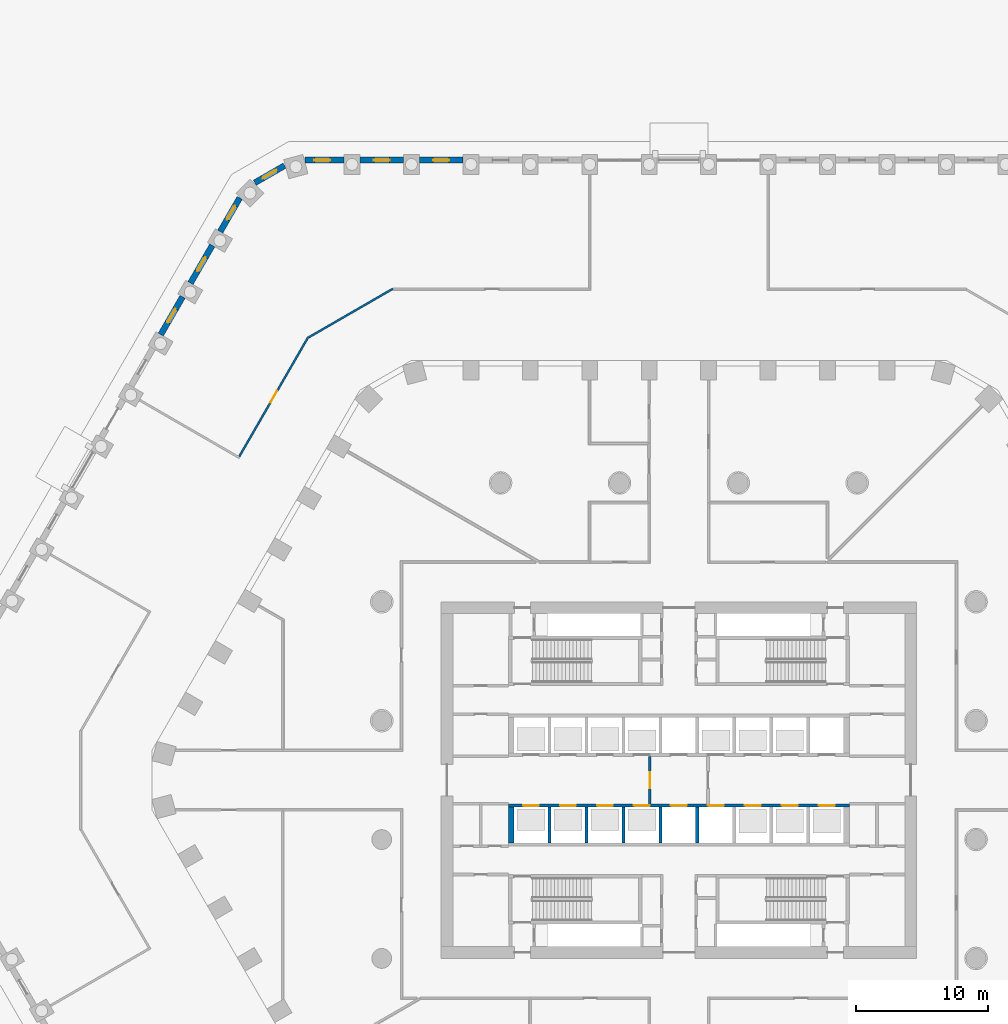
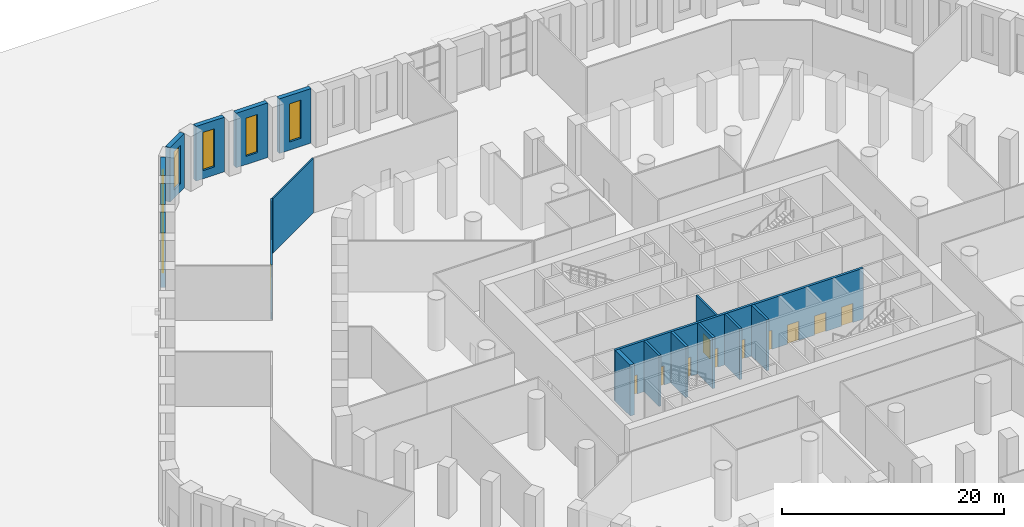
# One storey, part 19 of 44: 17 walls, 11 doors, 7 windows, 18 openings.
"""IFC4 building model written with IfcOpenShell, lengths in metres."""

from ifc_helpers import new_model, si_unit, direction, frame, frame_2d, origin, place, context, subcontext, project, spatial, polyline, rectangle, outline, extrude, material, layer, layer_set, type_object, element, fill, save


model = new_model("IFC4")

# Units and contexts
model_context = context("Model", 3, precision=1e-05, world=origin(), true_north=direction((0.0, 1.0)))
body_context = subcontext(model_context, "Body", "Model", "MODEL_VIEW")
ifc_project = project(units=[si_unit("LENGTHUNIT", "METRE"), si_unit("AREAUNIT", "SQUARE_METRE"), si_unit("VOLUMEUNIT", "CUBIC_METRE"), si_unit("PLANEANGLEUNIT", "RADIAN"), si_unit("MASSUNIT", "GRAM", prefix="KILO")], contexts=[model_context])

# Site, building, storey
site_placement = place(None, origin())
site = spatial("IfcSite", under=ifc_project, at=site_placement, CompositionType="ELEMENT")
building_placement = place(site_placement, origin())
building = spatial("IfcBuilding", under=site, at=building_placement, Name="Dhurran Vertical Campus", CompositionType="ELEMENT")
storey_placement = place(building_placement, origin())
storey = spatial("IfcBuildingStorey", under=building, at=storey_placement, Name="L00", CompositionType="ELEMENT", Elevation=0.0)

# Wall, opening, window
ifc_material_1 = material(Name="Precast concrete C50/60", Category="concrete")
ifc_layer_1 = layer(ifc_material_1, 0.449951171875)
ifc_layer_set_1 = layer_set([ifc_layer_1], Name="Precast concrete C50/60")
wall_type_1 = type_object("IfcWallType", Name="Precast base wall 450", PredefinedType="SOLIDWALL", material=ifc_layer_set_1)
wall_1_placement = place(storey_placement, frame((-16.3505859375, 46.943359375, 0.0), z_axis=(0.0, 0.0, 1.0), x_axis=(-1.0, 0.0, 0.0)))
wall_1 = element("IfcWall", 1, at=wall_1_placement, inside=storey, type_object=wall_type_1, Name="EW2 L00.48", PredefinedType="SOLIDWALL", context=body_context, shape_type="SweptSolid", body=[
    extrude(rectangle(XDim=3.298828125, YDim=0.449951171875, at=frame_2d((1.6494140625, 0.0))), origin(), (0.0, 0.0, 1.0), 6.0),
])
opening_1_placement = place(wall_1_placement, frame((1.049560546875, 0.0, 0.89990234375)))
opening_1 = element("IfcOpeningElement", 2, at=opening_1_placement, cuts=wall_1, Name="Opening WT5", PredefinedType="OPENING", context=body_context, shape_type="SweptSolid", body=[
    extrude(rectangle(XDim=1.199951171875, YDim=4.199951171875, at=frame_2d((0.60009765625, 2.10009765625))), frame((0.0, 0.23486328125, 0.0), z_axis=(0.0, -1.0, 0.0), x_axis=(1.0, 0.0, 0.0)), (0.0, 0.0, 1.0), 0.469970703125),
])
ifc_material_2 = material(Name="Aluminium frame with solar-control glass", Category="aluminium")
window_type = type_object("IfcWindowType", Name="Ring slot window 1200 x 4200", PartitioningType="SINGLE_PANEL", PredefinedType="WINDOW", material=ifc_material_2)
window_1_placement = place(opening_1_placement, origin())
window_1 = element("IfcWindow", 3, at=window_1_placement, inside=storey, type_object=window_type, Name="WT5 L00.48", OverallHeight=4.199951171875, OverallWidth=1.199951171875, PartitioningType="SINGLE_PANEL", PredefinedType="WINDOW", context=body_context, shape_type="SweptSolid", body=[
    extrude(rectangle(XDim=1.199951171875, YDim=4.199951171875, at=frame_2d((0.60009765625, 2.10009765625))), frame((0.0, 0.030029296875, 0.0), z_axis=(0.0, -1.0, 0.0), x_axis=(1.0, 0.0, 0.0)), (0.0, 0.0, 1.0), 0.06005859375),
])
fill(opening_1, window_1)

wall_2_placement = place(storey_placement, frame((-20.8505859375, 46.943359375, 0.0), z_axis=(0.0, 0.0, 1.0), x_axis=(-1.0, 0.0, 0.0)))
wall_2 = element("IfcWall", 4, at=wall_2_placement, inside=storey, type_object=wall_type_1, Name="EW2 L00.49", PredefinedType="SOLIDWALL", context=body_context, shape_type="SweptSolid", body=[
    extrude(rectangle(XDim=3.298828125, YDim=0.449951171875, at=frame_2d((1.6494140625, 0.0))), origin(), (0.0, 0.0, 1.0), 6.0),
])
opening_2_placement = place(wall_2_placement, frame((1.049560546875, 0.0, 0.89990234375)))
opening_2 = element("IfcOpeningElement", 5, at=opening_2_placement, cuts=wall_2, Name="Opening WT5", PredefinedType="OPENING", context=body_context, shape_type="SweptSolid", body=[
    extrude(rectangle(XDim=1.199951171875, YDim=4.199951171875, at=frame_2d((0.60009765625, 2.10009765625))), frame((0.0, 0.23486328125, 0.0), z_axis=(0.0, -1.0, 0.0), x_axis=(1.0, 0.0, 0.0)), (0.0, 0.0, 1.0), 0.469970703125),
])
window_2_placement = place(opening_2_placement, origin())
window_2 = element("IfcWindow", 6, at=window_2_placement, inside=storey, type_object=window_type, Name="WT5 L00.49", OverallHeight=4.199951171875, OverallWidth=1.199951171875, PartitioningType="SINGLE_PANEL", PredefinedType="WINDOW", context=body_context, shape_type="SweptSolid", body=[
    extrude(rectangle(XDim=1.199951171875, YDim=4.199951171875, at=frame_2d((0.60009765625, 2.10009765625))), frame((0.0, 0.030029296875, 0.0), z_axis=(0.0, -1.0, 0.0), x_axis=(1.0, 0.0, 0.0)), (0.0, 0.0, 1.0), 0.06005859375),
])
fill(opening_2, window_2)

wall_3_placement = place(storey_placement, frame((-25.3505859375, 46.943359375, 0.0), z_axis=(0.0, 0.0, 1.0), x_axis=(-1.0, 0.0, 0.0)))
wall_3 = element("IfcWall", 7, at=wall_3_placement, inside=storey, type_object=wall_type_1, Name="EW2 L00.50", PredefinedType="SOLIDWALL", context=body_context, shape_type="SweptSolid", body=[
    extrude(rectangle(XDim=2.948486328125, YDim=0.449951171875, at=frame_2d((1.47412109375, 0.0))), origin(), (0.0, 0.0, 1.0), 6.0),
])
opening_3_placement = place(wall_3_placement, frame((1.049560546875, 0.0, 0.89990234375)))
opening_3 = element("IfcOpeningElement", 8, at=opening_3_placement, cuts=wall_3, Name="Opening WT5", PredefinedType="OPENING", context=body_context, shape_type="SweptSolid", body=[
    extrude(rectangle(XDim=1.199951171875, YDim=4.199951171875, at=frame_2d((0.60009765625, 2.10009765625))), frame((0.0, 0.23486328125, 0.0), z_axis=(0.0, -1.0, 0.0), x_axis=(1.0, 0.0, 0.0)), (0.0, 0.0, 1.0), 0.469970703125),
])
window_3_placement = place(opening_3_placement, origin())
window_3 = element("IfcWindow", 9, at=window_3_placement, inside=storey, type_object=window_type, Name="WT5 L00.50", OverallHeight=4.199951171875, OverallWidth=1.199951171875, PartitioningType="SINGLE_PANEL", PredefinedType="WINDOW", context=body_context, shape_type="SweptSolid", body=[
    extrude(rectangle(XDim=1.199951171875, YDim=4.199951171875, at=frame_2d((0.60009765625, 2.10009765625))), frame((0.0, 0.030029296875, 0.0), z_axis=(0.0, -1.0, 0.0), x_axis=(1.0, 0.0, 0.0)), (0.0, 0.0, 1.0), 0.06005859375),
])
fill(opening_3, window_3)

wall_4_placement = place(storey_placement, frame((-29.861083984375, 46.524658203125, 0.0), z_axis=(0.0, 0.0, 1.0), x_axis=(-0.866019710441, -0.50000986103, 0.0)))
wall_4 = element("IfcWall", 10, at=wall_4_placement, inside=storey, type_object=wall_type_1, Name="EW2 L00.51", PredefinedType="SOLIDWALL", context=body_context, shape_type="SweptSolid", body=[
    extrude(rectangle(XDim=2.59814453125, YDim=0.449951171875, at=frame_2d((1.299072265625, 0.0))), origin(), (0.0, 0.0, 1.0), 6.0),
])
opening_4_placement = place(wall_4_placement, frame((0.69921875, 0.0, 0.89990234375)))
opening_4 = element("IfcOpeningElement", 11, at=opening_4_placement, cuts=wall_4, Name="Opening WT5", PredefinedType="OPENING", context=body_context, shape_type="SweptSolid", body=[
    extrude(rectangle(XDim=1.199951171875, YDim=4.199951171875, at=frame_2d((0.60009765625, 2.10009765625))), frame((0.0, 0.23486328125, 0.0), z_axis=(0.0, -1.0, 0.0), x_axis=(1.0, 0.0, 0.0)), (0.0, 0.0, 1.0), 0.469970703125),
])
window_4_placement = place(opening_4_placement, origin())
window_4 = element("IfcWindow", 12, at=window_4_placement, inside=storey, type_object=window_type, Name="WT5 L00.51", OverallHeight=4.199951171875, OverallWidth=1.199951171875, PartitioningType="SINGLE_PANEL", PredefinedType="WINDOW", context=body_context, shape_type="SweptSolid", body=[
    extrude(rectangle(XDim=1.199951171875, YDim=4.199951171875, at=frame_2d((0.60009765625, 2.10009765625))), frame((0.0, 0.030029296875, 0.0), z_axis=(0.0, -1.0, 0.0), x_axis=(1.0, 0.0, 0.0)), (0.0, 0.0, 1.0), 0.06005859375),
])
fill(opening_4, window_4)

wall_5_placement = place(storey_placement, frame((-33.25439453125, 44.082275390625, 0.0), z_axis=(0.0, 0.0, 1.0), x_axis=(-0.500030648271, -0.866007708274, 0.0)))
wall_5 = element("IfcWall", 13, at=wall_5_placement, inside=storey, type_object=wall_type_1, Name="EW2 L00.52", PredefinedType="SOLIDWALL", context=body_context, shape_type="SweptSolid", body=[
    extrude(rectangle(XDim=2.948486328125, YDim=0.449951171875, at=frame_2d((1.47412109375, 0.0))), origin(), (0.0, 0.0, 1.0), 6.0),
])
opening_5_placement = place(wall_5_placement, frame((0.69921875, 0.0, 0.89990234375)))
opening_5 = element("IfcOpeningElement", 14, at=opening_5_placement, cuts=wall_5, Name="Opening WT5", PredefinedType="OPENING", context=body_context, shape_type="SweptSolid", body=[
    extrude(rectangle(XDim=1.199951171875, YDim=4.199951171875, at=frame_2d((0.60009765625, 2.10009765625))), frame((0.0, 0.23486328125, 0.0), z_axis=(0.0, -1.0, 0.0), x_axis=(1.0, 0.0, 0.0)), (0.0, 0.0, 1.0), 0.469970703125),
])
window_5_placement = place(opening_5_placement, origin())
window_5 = element("IfcWindow", 15, at=window_5_placement, inside=storey, type_object=window_type, Name="WT5 L00.52", OverallHeight=4.199951171875, OverallWidth=1.199951171875, PartitioningType="SINGLE_PANEL", PredefinedType="WINDOW", context=body_context, shape_type="SweptSolid", body=[
    extrude(rectangle(XDim=1.199951171875, YDim=4.199951171875, at=frame_2d((0.60009765625, 2.10009765625))), frame((0.0, 0.030029296875, 0.0), z_axis=(0.0, -1.0, 0.0), x_axis=(1.0, 0.0, 0.0)), (0.0, 0.0, 1.0), 0.06005859375),
])
fill(opening_5, window_5)

wall_6_placement = place(storey_placement, frame((-35.329345703125, 40.488525390625, 0.0), z_axis=(0.0, 0.0, 1.0), x_axis=(-0.499991515992, -0.866030301974, 0.0)))
wall_6 = element("IfcWall", 16, at=wall_6_placement, inside=storey, type_object=wall_type_1, Name="EW2 L00.53", PredefinedType="SOLIDWALL", context=body_context, shape_type="SweptSolid", body=[
    extrude(rectangle(XDim=3.298828125, YDim=0.449951171875, at=frame_2d((1.6494140625, 0.0))), origin(), (0.0, 0.0, 1.0), 6.0),
])
opening_6_placement = place(wall_6_placement, frame((1.049560546875, 0.0, 0.89990234375)))
opening_6 = element("IfcOpeningElement", 17, at=opening_6_placement, cuts=wall_6, Name="Opening WT5", PredefinedType="OPENING", context=body_context, shape_type="SweptSolid", body=[
    extrude(rectangle(XDim=1.199951171875, YDim=4.199951171875, at=frame_2d((0.60009765625, 2.10009765625))), frame((0.0, 0.23486328125, 0.0), z_axis=(0.0, -1.0, 0.0), x_axis=(1.0, 0.0, 0.0)), (0.0, 0.0, 1.0), 0.469970703125),
])
window_6_placement = place(opening_6_placement, origin())
window_6 = element("IfcWindow", 18, at=window_6_placement, inside=storey, type_object=window_type, Name="WT5 L00.53", OverallHeight=4.199951171875, OverallWidth=1.199951171875, PartitioningType="SINGLE_PANEL", PredefinedType="WINDOW", context=body_context, shape_type="SweptSolid", body=[
    extrude(rectangle(XDim=1.199951171875, YDim=4.199951171875, at=frame_2d((0.60009765625, 2.10009765625))), frame((0.0, 0.030029296875, 0.0), z_axis=(0.0, -1.0, 0.0), x_axis=(1.0, 0.0, 0.0)), (0.0, 0.0, 1.0), 0.06005859375),
])
fill(opening_6, window_6)

wall_7_placement = place(storey_placement, frame((-37.579345703125, 36.591552734375, 0.0), z_axis=(0.0, 0.0, 1.0), x_axis=(-0.499991515992, -0.866030301974, 0.0)))
wall_7 = element("IfcWall", 19, at=wall_7_placement, inside=storey, type_object=wall_type_1, Name="EW2 L00.54", PredefinedType="SOLIDWALL", context=body_context, shape_type="SweptSolid", body=[
    extrude(rectangle(XDim=3.298828125, YDim=0.449951171875, at=frame_2d((1.6494140625, 0.0))), origin(), (0.0, 0.0, 1.0), 6.0),
])
opening_7_placement = place(wall_7_placement, frame((1.049560546875, 0.0, 0.89990234375)))
opening_7 = element("IfcOpeningElement", 20, at=opening_7_placement, cuts=wall_7, Name="Opening WT5", PredefinedType="OPENING", context=body_context, shape_type="SweptSolid", body=[
    extrude(rectangle(XDim=1.199951171875, YDim=4.199951171875, at=frame_2d((0.60009765625, 2.10009765625))), frame((0.0, 0.23486328125, 0.0), z_axis=(0.0, -1.0, 0.0), x_axis=(1.0, 0.0, 0.0)), (0.0, 0.0, 1.0), 0.469970703125),
])
window_7_placement = place(opening_7_placement, origin())
window_7 = element("IfcWindow", 21, at=window_7_placement, inside=storey, type_object=window_type, Name="WT5 L00.54", OverallHeight=4.199951171875, OverallWidth=1.199951171875, PartitioningType="SINGLE_PANEL", PredefinedType="WINDOW", context=body_context, shape_type="SweptSolid", body=[
    extrude(rectangle(XDim=1.199951171875, YDim=4.199951171875, at=frame_2d((0.60009765625, 2.10009765625))), frame((0.0, 0.030029296875, 0.0), z_axis=(0.0, -1.0, 0.0), x_axis=(1.0, 0.0, 0.0)), (0.0, 0.0, 1.0), 0.06005859375),
])
fill(opening_7, window_7)

# Wall, opening, door
ifc_material_3 = material(Name="Fire-rated masonry blockwork", Category="masonry")
ifc_layer_2 = layer(ifc_material_3, 0.199951171875)
ifc_layer_set_2 = layer_set([ifc_layer_2], Name="Fire-rated masonry blockwork")
wall_type_2 = type_object("IfcWallType", Name="co-FIRE-PARTITION-200", PredefinedType="PARTITIONING", material=ifc_layer_set_2)
wall_8_placement = place(storey_placement, frame((-2.199951171875, -1.800048828125, 0.0), z_axis=(0.0, 0.0, 1.0), x_axis=(0.0, 1.0, 0.0)))
wall_8 = element("IfcWall", 22, at=wall_8_placement, inside=storey, type_object=wall_type_2, Name="Firefighting lobby wall W L00", PredefinedType="PARTITIONING", context=body_context, shape_type="SweptSolid", body=[
    extrude(rectangle(XDim=3.60009765625, YDim=0.199951171875, at=frame_2d((1.800048828125, 0.0))), origin(), (0.0, 0.0, 1.0), 5.60009765625),
])
opening_8_placement = place(wall_8_placement, frame((1.199951171875, 0.0, 0.0)))
opening_8 = element("IfcOpeningElement", 23, at=opening_8_placement, cuts=wall_8, Name="Opening FL1", PredefinedType="OPENING", context=body_context, shape_type="SweptSolid", body=[
    extrude(rectangle(XDim=1.199951171875, YDim=2.10009765625, at=frame_2d((0.60009765625, 1.050048828125))), frame((0.0, 0.10986328125, 0.0), z_axis=(0.0, -1.0, 0.0), x_axis=(1.0, 0.0, 0.0)), (0.0, 0.0, 1.0), 0.219970703125),
])
ifc_material_4 = material(Name="Fire-rated steel door set", Category="steel")
door_type_1 = type_object("IfcDoorType", Name="co-D-FFLOBBY 1200x2100", OperationType="SINGLE_SWING_LEFT", PredefinedType="DOOR", material=ifc_material_4)
door_1_placement = place(opening_8_placement, origin())
door_1 = element("IfcDoor", 24, at=door_1_placement, inside=storey, type_object=door_type_1, Name="Firefighting lobby door W L00", OperationType="SINGLE_SWING_LEFT", OverallHeight=2.10009765625, OverallWidth=1.199951171875, PredefinedType="DOOR", context=body_context, shape_type="SweptSolid", body=[
    extrude(rectangle(XDim=1.199951171875, YDim=2.10009765625, at=frame_2d((0.60009765625, 1.050048828125))), frame((0.0, 0.02490234375, 0.0), z_axis=(0.0, -1.0, 0.0), x_axis=(1.0, 0.0, 0.0)), (0.0, 0.0, 1.0), 0.050048828125),
])
fill(opening_8, door_1)

# Wall, openings, doors
ifc_material_5 = material(Name="Concrete C50/60", Category="concrete")
ifc_layer_3 = layer(ifc_material_5, 0.25)
ifc_layer_set_3 = layer_set([ifc_layer_3], Name="Concrete C50/60")
wall_type_3 = type_object("IfcWallType", Name="co-SHAFT-FRONT-250", PredefinedType="SHEAR", material=ifc_layer_set_3)
wall_9_placement = place(storey_placement, frame((-12.89990234375, -1.925048828125, 0.0), z_axis=(0.0, 0.0, 1.0), x_axis=(1.0, 0.0, 0.0)))
wall_9 = element("IfcWall", 25, at=wall_9_placement, inside=storey, type_object=wall_type_3, Name="Lift landing wall S L00", PredefinedType="SHEAR", context=body_context, shape_type="SweptSolid", body=[
    extrude(rectangle(XDim=25.7998046875, YDim=0.25, at=frame_2d((12.89990234375, 0.0))), origin(), (0.0, 0.0, 1.0), 5.60009765625),
])
opening_9_placement = place(wall_9_placement, frame((1.10009765625, 0.0, 0.0)))
opening_9 = element("IfcOpeningElement", 26, at=opening_9_placement, cuts=wall_9, Name="Opening LD", PredefinedType="OPENING", context=body_context, shape_type="SweptSolid", body=[
    extrude(rectangle(XDim=1.199951171875, YDim=2.10009765625, at=frame_2d((0.60009765625, 1.050048828125))), frame((0.0, 0.135009765625, 0.0), z_axis=(0.0, -1.0, 0.0), x_axis=(1.0, 0.0, 0.0)), (0.0, 0.0, 1.0), 0.27001953125),
])
opening_10_placement = place(wall_9_placement, frame((3.89990234375, 0.0, 0.0)))
opening_10 = element("IfcOpeningElement", 27, at=opening_10_placement, cuts=wall_9, Name="Opening LD", PredefinedType="OPENING", context=body_context, shape_type="SweptSolid", body=[
    extrude(rectangle(XDim=1.199951171875, YDim=2.10009765625, at=frame_2d((0.60009765625, 1.050048828125))), frame((0.0, 0.135009765625, 0.0), z_axis=(0.0, -1.0, 0.0), x_axis=(1.0, 0.0, 0.0)), (0.0, 0.0, 1.0), 0.27001953125),
])
opening_11_placement = place(wall_9_placement, frame((6.699951171875, 0.0, 0.0)))
opening_11 = element("IfcOpeningElement", 28, at=opening_11_placement, cuts=wall_9, Name="Opening LD", PredefinedType="OPENING", context=body_context, shape_type="SweptSolid", body=[
    extrude(rectangle(XDim=1.199951171875, YDim=2.10009765625, at=frame_2d((0.60009765625, 1.050048828125))), frame((0.0, 0.135009765625, 0.0), z_axis=(0.0, -1.0, 0.0), x_axis=(1.0, 0.0, 0.0)), (0.0, 0.0, 1.0), 0.27001953125),
])
opening_12_placement = place(wall_9_placement, frame((9.5, 0.0, 0.0)))
opening_12 = element("IfcOpeningElement", 29, at=opening_12_placement, cuts=wall_9, Name="Opening LD", PredefinedType="OPENING", context=body_context, shape_type="SweptSolid", body=[
    extrude(rectangle(XDim=1.199951171875, YDim=2.10009765625, at=frame_2d((0.60009765625, 1.050048828125))), frame((0.0, 0.135009765625, 0.0), z_axis=(0.0, -1.0, 0.0), x_axis=(1.0, 0.0, 0.0)), (0.0, 0.0, 1.0), 0.27001953125),
])
opening_13_placement = place(wall_9_placement, frame((12.300048828125, 0.0, 0.0)))
opening_13 = element("IfcOpeningElement", 30, at=opening_13_placement, cuts=wall_9, Name="Opening LD", PredefinedType="OPENING", context=body_context, shape_type="SweptSolid", body=[
    extrude(rectangle(XDim=1.199951171875, YDim=2.10009765625, at=frame_2d((0.60009765625, 1.050048828125))), frame((0.0, 0.135009765625, 0.0), z_axis=(0.0, -1.0, 0.0), x_axis=(1.0, 0.0, 0.0)), (0.0, 0.0, 1.0), 0.27001953125),
])
opening_14_placement = place(wall_9_placement, frame((15.10009765625, 0.0, 0.0)))
opening_14 = element("IfcOpeningElement", 31, at=opening_14_placement, cuts=wall_9, Name="Opening LD", PredefinedType="OPENING", context=body_context, shape_type="SweptSolid", body=[
    extrude(rectangle(XDim=1.199951171875, YDim=2.10009765625, at=frame_2d((0.60009765625, 1.050048828125))), frame((0.0, 0.135009765625, 0.0), z_axis=(0.0, -1.0, 0.0), x_axis=(1.0, 0.0, 0.0)), (0.0, 0.0, 1.0), 0.27001953125),
])
opening_15_placement = place(wall_9_placement, frame((17.89990234375, 0.0, 0.0)))
opening_15 = element("IfcOpeningElement", 32, at=opening_15_placement, cuts=wall_9, Name="Opening LD", PredefinedType="OPENING", context=body_context, shape_type="SweptSolid", body=[
    extrude(rectangle(XDim=1.199951171875, YDim=2.10009765625, at=frame_2d((0.60009765625, 1.050048828125))), frame((0.0, 0.135009765625, 0.0), z_axis=(0.0, -1.0, 0.0), x_axis=(1.0, 0.0, 0.0)), (0.0, 0.0, 1.0), 0.27001953125),
])
opening_16_placement = place(wall_9_placement, frame((20.699951171875, 0.0, 0.0)))
opening_16 = element("IfcOpeningElement", 33, at=opening_16_placement, cuts=wall_9, Name="Opening LD", PredefinedType="OPENING", context=body_context, shape_type="SweptSolid", body=[
    extrude(rectangle(XDim=1.199951171875, YDim=2.10009765625, at=frame_2d((0.60009765625, 1.050048828125))), frame((0.0, 0.135009765625, 0.0), z_axis=(0.0, -1.0, 0.0), x_axis=(1.0, 0.0, 0.0)), (0.0, 0.0, 1.0), 0.27001953125),
])
opening_17_placement = place(wall_9_placement, frame((23.5, 0.0, 0.0)))
opening_17 = element("IfcOpeningElement", 34, at=opening_17_placement, cuts=wall_9, Name="Opening LD", PredefinedType="OPENING", context=body_context, shape_type="SweptSolid", body=[
    extrude(rectangle(XDim=1.199951171875, YDim=2.10009765625, at=frame_2d((0.60009765625, 1.050048828125))), frame((0.0, 0.135009765625, 0.0), z_axis=(0.0, -1.0, 0.0), x_axis=(1.0, 0.0, 0.0)), (0.0, 0.0, 1.0), 0.27001953125),
])
ifc_material_6 = material(Name="Stainless steel landing door", Category="steel")
door_type_2 = type_object("IfcDoorType", Name="co-D-LANDING 1200x2100", OperationType="DOUBLE_DOOR_SLIDING", PredefinedType="DOOR", material=ifc_material_6)
door_2_placement = place(opening_9_placement, origin())
door_2 = element("IfcDoor", 35, at=door_2_placement, inside=storey, type_object=door_type_2, Name="Landing door LR5 L00", OperationType="DOUBLE_DOOR_SLIDING", OverallHeight=2.10009765625, OverallWidth=1.199951171875, PredefinedType="DOOR", context=body_context, shape_type="SweptSolid", body=[
    extrude(rectangle(XDim=1.199951171875, YDim=2.10009765625, at=frame_2d((0.60009765625, 1.050048828125))), frame((0.0, 0.02490234375, 0.0), z_axis=(0.0, -1.0, 0.0), x_axis=(1.0, 0.0, 0.0)), (0.0, 0.0, 1.0), 0.050048828125),
])
fill(opening_9, door_2)
door_3_placement = place(opening_10_placement, origin())
door_3 = element("IfcDoor", 36, at=door_3_placement, inside=storey, type_object=door_type_2, Name="Landing door LR6 L00", OperationType="DOUBLE_DOOR_SLIDING", OverallHeight=2.10009765625, OverallWidth=1.199951171875, PredefinedType="DOOR", context=body_context, shape_type="SweptSolid", body=[
    extrude(rectangle(XDim=1.199951171875, YDim=2.10009765625, at=frame_2d((0.60009765625, 1.050048828125))), frame((0.0, 0.02490234375, 0.0), z_axis=(0.0, -1.0, 0.0), x_axis=(1.0, 0.0, 0.0)), (0.0, 0.0, 1.0), 0.050048828125),
])
fill(opening_10, door_3)
door_4_placement = place(opening_11_placement, origin())
door_4 = element("IfcDoor", 37, at=door_4_placement, inside=storey, type_object=door_type_2, Name="Landing door LR7 L00", OperationType="DOUBLE_DOOR_SLIDING", OverallHeight=2.10009765625, OverallWidth=1.199951171875, PredefinedType="DOOR", context=body_context, shape_type="SweptSolid", body=[
    extrude(rectangle(XDim=1.199951171875, YDim=2.10009765625, at=frame_2d((0.60009765625, 1.050048828125))), frame((0.0, 0.02490234375, 0.0), z_axis=(0.0, -1.0, 0.0), x_axis=(1.0, 0.0, 0.0)), (0.0, 0.0, 1.0), 0.050048828125),
])
fill(opening_11, door_4)
door_5_placement = place(opening_12_placement, origin())
door_5 = element("IfcDoor", 38, at=door_5_placement, inside=storey, type_object=door_type_2, Name="Landing door LR8 L00", OperationType="DOUBLE_DOOR_SLIDING", OverallHeight=2.10009765625, OverallWidth=1.199951171875, PredefinedType="DOOR", context=body_context, shape_type="SweptSolid", body=[
    extrude(rectangle(XDim=1.199951171875, YDim=2.10009765625, at=frame_2d((0.60009765625, 1.050048828125))), frame((0.0, 0.02490234375, 0.0), z_axis=(0.0, -1.0, 0.0), x_axis=(1.0, 0.0, 0.0)), (0.0, 0.0, 1.0), 0.050048828125),
])
fill(opening_12, door_5)
door_6_placement = place(opening_13_placement, origin())
door_6 = element("IfcDoor", 39, at=door_6_placement, inside=storey, type_object=door_type_2, Name="Landing door FF2 L00", OperationType="DOUBLE_DOOR_SLIDING", OverallHeight=2.10009765625, OverallWidth=1.199951171875, PredefinedType="DOOR", context=body_context, shape_type="SweptSolid", body=[
    extrude(rectangle(XDim=1.199951171875, YDim=2.10009765625, at=frame_2d((0.60009765625, 1.050048828125))), frame((0.0, 0.02490234375, 0.0), z_axis=(0.0, -1.0, 0.0), x_axis=(1.0, 0.0, 0.0)), (0.0, 0.0, 1.0), 0.050048828125),
])
fill(opening_13, door_6)
door_7_placement = place(opening_14_placement, origin())
door_7 = element("IfcDoor", 40, at=door_7_placement, inside=storey, type_object=door_type_2, Name="Landing door SV1 L00", OperationType="DOUBLE_DOOR_SLIDING", OverallHeight=2.10009765625, OverallWidth=1.199951171875, PredefinedType="DOOR", context=body_context, shape_type="SweptSolid", body=[
    extrude(rectangle(XDim=1.199951171875, YDim=2.10009765625, at=frame_2d((0.60009765625, 1.050048828125))), frame((0.0, 0.02490234375, 0.0), z_axis=(0.0, -1.0, 0.0), x_axis=(1.0, 0.0, 0.0)), (0.0, 0.0, 1.0), 0.050048828125),
])
fill(opening_14, door_7)
door_8_placement = place(opening_15_placement, origin())
door_8 = element("IfcDoor", 41, at=door_8_placement, inside=storey, type_object=door_type_2, Name="Landing door SB1 L00", OperationType="DOUBLE_DOOR_SLIDING", OverallHeight=2.10009765625, OverallWidth=1.199951171875, PredefinedType="DOOR", context=body_context, shape_type="SweptSolid", body=[
    extrude(rectangle(XDim=1.199951171875, YDim=2.10009765625, at=frame_2d((0.60009765625, 1.050048828125))), frame((0.0, 0.02490234375, 0.0), z_axis=(0.0, -1.0, 0.0), x_axis=(1.0, 0.0, 0.0)), (0.0, 0.0, 1.0), 0.050048828125),
])
fill(opening_15, door_8)
door_9_placement = place(opening_16_placement, origin())
door_9 = element("IfcDoor", 42, at=door_9_placement, inside=storey, type_object=door_type_2, Name="Landing door SB2 L00", OperationType="DOUBLE_DOOR_SLIDING", OverallHeight=2.10009765625, OverallWidth=1.199951171875, PredefinedType="DOOR", context=body_context, shape_type="SweptSolid", body=[
    extrude(rectangle(XDim=1.199951171875, YDim=2.10009765625, at=frame_2d((0.60009765625, 1.050048828125))), frame((0.0, 0.02490234375, 0.0), z_axis=(0.0, -1.0, 0.0), x_axis=(1.0, 0.0, 0.0)), (0.0, 0.0, 1.0), 0.050048828125),
])
fill(opening_16, door_9)
door_10_placement = place(opening_17_placement, origin())
door_10 = element("IfcDoor", 43, at=door_10_placement, inside=storey, type_object=door_type_2, Name="Landing door SB3 L00", OperationType="DOUBLE_DOOR_SLIDING", OverallHeight=2.10009765625, OverallWidth=1.199951171875, PredefinedType="DOOR", context=body_context, shape_type="SweptSolid", body=[
    extrude(rectangle(XDim=1.199951171875, YDim=2.10009765625, at=frame_2d((0.60009765625, 1.050048828125))), frame((0.0, 0.02490234375, 0.0), z_axis=(0.0, -1.0, 0.0), x_axis=(1.0, 0.0, 0.0)), (0.0, 0.0, 1.0), 0.050048828125),
])
fill(opening_17, door_10)

# Walls
ifc_material_7 = material(Name="Concrete C50/60", Category="concrete")
ifc_layer_4 = layer(ifc_material_7, 0.25)
ifc_layer_set_4 = layer_set([ifc_layer_4], Name="Concrete C50/60")
wall_type_4 = type_object("IfcWallType", Name="co-SHAFT-MASS-250", PredefinedType="SHEAR", material=ifc_layer_set_4)
wall_10_placement = place(storey_placement, origin())
element("IfcWall", 44, at=wall_10_placement, inside=storey, type_object=wall_type_4, Name="Lift shaft wall S L00 2", PredefinedType="SHEAR", context=body_context, shape_type="SweptSolid", body=[
    extrude(outline(polyline([(-12.89990234375, -4.75), (-12.47509765625, -4.75), (-12.47509765625, -2.050048828125), (-12.89990234375, -2.050048828125), (-12.89990234375, -4.75)])), origin(), (0.0, 0.0, 1.0), 5.60009765625),
])
wall_11_placement = place(storey_placement, origin())
element("IfcWall", 45, at=wall_11_placement, inside=storey, type_object=wall_type_4, Name="Lift shaft wall S L00 3", PredefinedType="SHEAR", context=body_context, shape_type="SweptSolid", body=[
    extrude(outline(polyline([(-9.925048828125, -4.75), (-9.675048828125, -4.75), (-9.675048828125, -2.050048828125), (-9.925048828125, -2.050048828125), (-9.925048828125, -4.75)])), origin(), (0.0, 0.0, 1.0), 5.60009765625),
])
wall_12_placement = place(storey_placement, origin())
element("IfcWall", 46, at=wall_12_placement, inside=storey, type_object=wall_type_4, Name="Lift shaft wall S L00 4", PredefinedType="SHEAR", context=body_context, shape_type="SweptSolid", body=[
    extrude(outline(polyline([(-7.125, -4.75), (-6.875, -4.75), (-6.875, -2.050048828125), (-7.125, -2.050048828125), (-7.125, -4.75)])), origin(), (0.0, 0.0, 1.0), 5.60009765625),
])
wall_13_placement = place(storey_placement, origin())
element("IfcWall", 47, at=wall_13_placement, inside=storey, type_object=wall_type_4, Name="Lift shaft wall S L00 5", PredefinedType="SHEAR", context=body_context, shape_type="SweptSolid", body=[
    extrude(outline(polyline([(-4.324951171875, -4.75), (-4.074951171875, -4.75), (-4.074951171875, -2.050048828125), (-4.324951171875, -2.050048828125), (-4.324951171875, -4.75)])), origin(), (0.0, 0.0, 1.0), 5.60009765625),
])
wall_14_placement = place(storey_placement, origin())
element("IfcWall", 48, at=wall_14_placement, inside=storey, type_object=wall_type_4, Name="Lift shaft wall S L00 6", PredefinedType="SHEAR", context=body_context, shape_type="SweptSolid", body=[
    extrude(outline(polyline([(-1.52490234375, -4.75), (-1.27490234375, -4.75), (-1.27490234375, -2.050048828125), (-1.52490234375, -2.050048828125), (-1.52490234375, -4.75)])), origin(), (0.0, 0.0, 1.0), 5.60009765625),
])
wall_15_placement = place(storey_placement, origin())
element("IfcWall", 49, at=wall_15_placement, inside=storey, type_object=wall_type_4, Name="Lift shaft wall S L00 7", PredefinedType="SHEAR", context=body_context, shape_type="SweptSolid", body=[
    extrude(outline(polyline([(1.27490234375, -4.75), (1.52490234375, -4.75), (1.52490234375, -2.050048828125), (1.27490234375, -2.050048828125), (1.27490234375, -4.75)])), origin(), (0.0, 0.0, 1.0), 5.60009765625),
])

# Wall, opening, door
ifc_material_8 = material(Name="Gypsum board corridor wall on steel studs", Category="steel")
ifc_layer_5 = layer(ifc_material_8, 0.14990234375)
ifc_layer_set_5 = layer_set([ifc_layer_5], Name="Gypsum board corridor wall on steel studs")
wall_type_5 = type_object("IfcWallType", Name="fl-CW-150 corridor wall", PredefinedType="PARTITIONING", material=ifc_layer_set_5)
wall_16_placement = place(storey_placement, frame((-33.28662109375, 24.5009765625, 0.0), z_axis=(0.0, 0.0, 1.0), x_axis=(0.500064997195, 0.865987874384, 0.0)))
wall_16 = element("IfcWall", 50, at=wall_16_placement, inside=storey, type_object=wall_type_5, Name="Partition 00-11", PredefinedType="PARTITIONING", context=body_context, shape_type="SweptSolid", body=[
    extrude(rectangle(XDim=10.44677734375, YDim=0.14990234375, at=frame_2d((5.223388671875, 0.0))), origin(), (0.0, 0.0, 1.0), 6.0),
])
opening_18_placement = place(wall_16_placement, frame((4.723388671875, 0.0, 0.0)))
opening_18 = element("IfcOpeningElement", 51, at=opening_18_placement, cuts=wall_16, Name="Opening PD00.10", PredefinedType="OPENING", context=body_context, shape_type="SweptSolid", body=[
    extrude(rectangle(XDim=1.0, YDim=2.10009765625, at=frame_2d((0.5, 1.050048828125))), frame((0.0, 0.0849609375, 0.0), z_axis=(0.0, -1.0, 0.0), x_axis=(1.0, 0.0, 0.0)), (0.0, 0.0, 1.0), 0.169921875),
])
ifc_material_9 = material(Name="Solid-core timber door set, fire-rated", Category="wood")
door_type_3 = type_object("IfcDoorType", Name="fl-D-1000x2100", OperationType="SINGLE_SWING_LEFT", PredefinedType="DOOR", material=ifc_material_9)
door_11_placement = place(opening_18_placement, origin())
door_11 = element("IfcDoor", 52, at=door_11_placement, inside=storey, type_object=door_type_3, Name="Door 00.10", OperationType="SINGLE_SWING_RIGHT", OverallHeight=2.10009765625, OverallWidth=1.0, PredefinedType="DOOR", context=body_context, shape_type="SweptSolid", body=[
    extrude(rectangle(XDim=1.0, YDim=2.10009765625, at=frame_2d((0.5, 1.050048828125))), frame((0.0, 0.02490234375, 0.0), z_axis=(0.0, -1.0, 0.0), x_axis=(1.0, 0.0, 0.0)), (0.0, 0.0, 1.0), 0.050048828125),
])
fill(opening_18, door_11)

# Wall
wall_17_placement = place(storey_placement, frame((-28.01318359375, 33.532958984375, 0.0), z_axis=(0.0, 0.0, 1.0), x_axis=(0.866011067739, 0.500024829938, 0.0)))
element("IfcWall", 53, at=wall_17_placement, inside=storey, type_object=wall_type_5, Name="Partition 00-19", PredefinedType="PARTITIONING", context=body_context, shape_type="SweptSolid", body=[
    extrude(rectangle(XDim=7.338623046875, YDim=0.14990234375, at=frame_2d((3.66943359375, 0.0))), origin(), (0.0, 0.0, 1.0), 6.0),
])

save(model, "model.ifc")
